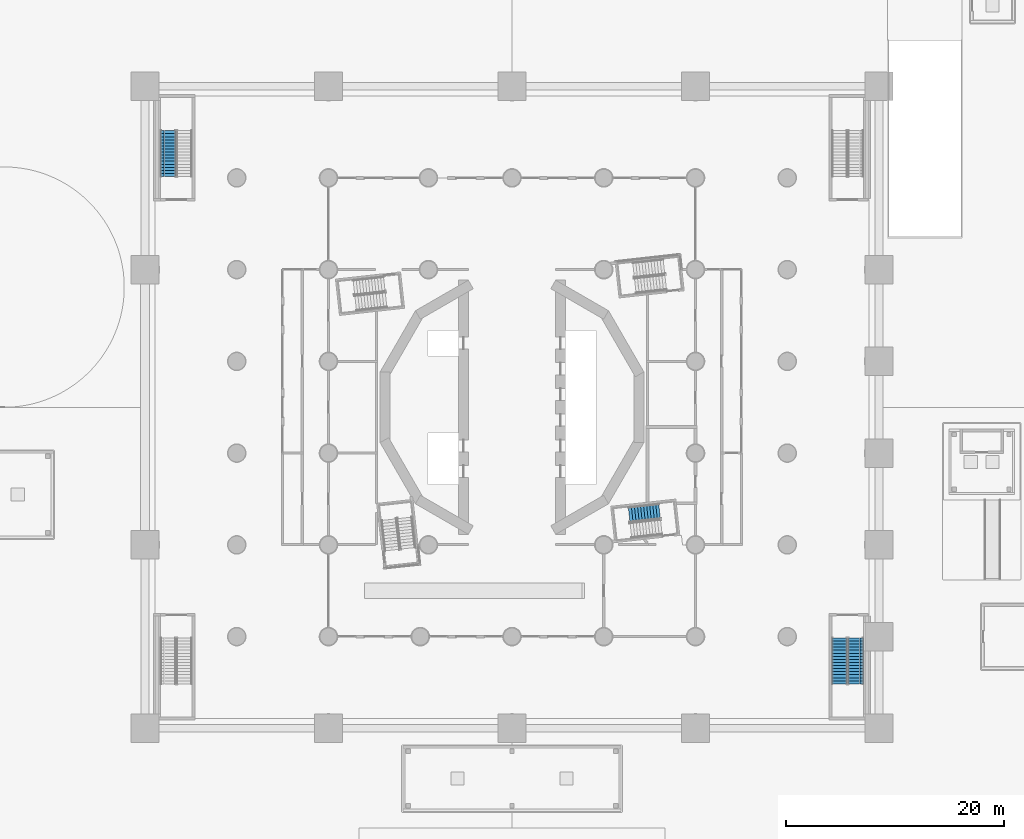
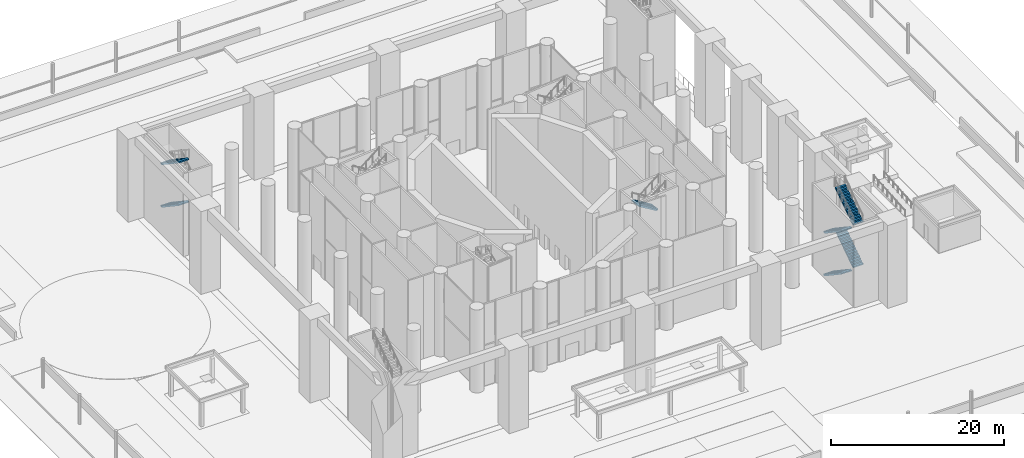
# One storey, part 20 of 52: 7 stair flights, 3 elements without a shape of their own.
"""IFC4 building model written with IfcOpenShell, lengths in metres."""

from ifc_helpers import new_model, si_unit, direction, frame, origin, place, context, subcontext, project, spatial, polyline, outline, extrude, material, type_object, element, aggregate, save


model = new_model("IFC4")

# Units and contexts
model_context = context("Model", 3, precision=1e-05, world=origin(), true_north=direction((0.0, 1.0)))
body_context = subcontext(model_context, "Body", "Model", "MODEL_VIEW")
ifc_project = project(units=[si_unit("LENGTHUNIT", "METRE"), si_unit("AREAUNIT", "SQUARE_METRE"), si_unit("VOLUMEUNIT", "CUBIC_METRE"), si_unit("PLANEANGLEUNIT", "RADIAN"), si_unit("MASSUNIT", "GRAM", prefix="KILO")], contexts=[model_context])

# Site, building, storey
site_placement = place(None, origin())
site = spatial("IfcSite", under=ifc_project, at=site_placement, CompositionType="ELEMENT")
building_placement = place(site_placement, origin())
building = spatial("IfcBuilding", under=site, at=building_placement, Name="Cantera Rosa Tower", CompositionType="ELEMENT")
storey_placement = place(building_placement, origin())
storey = spatial("IfcBuildingStorey", under=building, at=storey_placement, Name="L00", CompositionType="ELEMENT", Elevation=0.0)

# Stair, stair flight
ifc_material_1 = material(Name="Concrete C35/45", Category="concrete")
stair_type_1 = type_object("IfcStairType", Name="EXIT STAIR 1350 DOGLEG", PredefinedType="HALF_TURN_STAIR", material=ifc_material_1)
stair_1_placement = place(storey_placement, origin())
stair_1 = element("IfcStair", 1, at=stair_1_placement, inside=storey, type_object=stair_type_1, Name="L00 ST-14", PredefinedType="HALF_TURN_STAIR")
ifc_material_2 = material(Name="Concrete C35/45", Category="concrete")
stair_flight_type_1 = type_object("IfcStairFlightType", Name="STAIR FLIGHT 1350 R66x182", PredefinedType="STRAIGHT", material=ifc_material_2)
stair_flight_1_placement = place(storey_placement, frame((13.5087890625, -9.500244140625, 8.0), z_axis=(0.0, 0.0, 1.0), x_axis=(-0.993896947056, -0.110312549749, 0.0)))
stair_flight_1 = element("IfcStairFlight", 2, at=stair_flight_1_placement, type_object=stair_flight_type_1, Name="ST-14 flight 5", NumberOfRisers=11, NumberOfTreads=10, PredefinedType="STRAIGHT", RiserHeight=0.181818182, TreadLength=0.28, context=body_context, shape_type="SweptSolid", body=[
    extrude(outline(polyline([(0.0, 0.0), (0.0, 0.181884765625), (0.280029296875, 0.181884765625), (0.280029296875, 0.363525390625), (0.56005859375, 0.363525390625), (0.56005859375, 0.54541015625), (0.840087890625, 0.54541015625), (0.840087890625, 0.727294921875), (1.1201171875, 0.727294921875), (1.1201171875, 0.9091796875), (1.39990234375, 0.9091796875), (1.39990234375, 1.0908203125), (1.679931640625, 1.0908203125), (1.679931640625, 1.272705078125), (1.9599609375, 1.272705078125), (1.9599609375, 1.45458984375), (2.239990234375, 1.45458984375), (2.239990234375, 1.636474609375), (2.52001953125, 1.636474609375), (2.52001953125, 1.818115234375), (2.800048828125, 1.818115234375), (2.800048828125, 2.0), (2.800048828125, 1.639404296875), (0.275146484375, 0.0), (0.0, 0.0)])), frame((0.0, 0.675048828125, 0.0), z_axis=(0.0, -1.0, 0.0), x_axis=(1.0, 0.0, 0.0)), (0.0, 0.0, 1.0), 0.3359375),
    extrude(outline(polyline([(0.0, 0.0), (0.0, 0.181884765625), (0.280029296875, 0.181884765625), (0.280029296875, 0.363525390625), (0.56005859375, 0.363525390625), (0.56005859375, 0.54541015625), (0.840087890625, 0.54541015625), (0.840087890625, 0.727294921875), (1.1201171875, 0.727294921875), (1.1201171875, 0.9091796875), (1.39990234375, 0.9091796875), (1.39990234375, 1.0908203125), (1.679931640625, 1.0908203125), (1.679931640625, 1.272705078125), (1.9599609375, 1.272705078125), (1.9599609375, 1.45458984375), (2.239990234375, 1.45458984375), (2.239990234375, 1.636474609375), (2.52001953125, 1.636474609375), (2.52001953125, 1.818115234375), (2.800048828125, 1.818115234375), (2.800048828125, 2.0), (2.800048828125, 1.639404296875), (0.275146484375, 0.0), (0.0, 0.0)])), frame((0.0, 0.337158203125, 0.0), z_axis=(0.0, -1.0, 0.0), x_axis=(1.0, 0.0, 0.0)), (0.0, 0.0, 1.0), 0.3359375),
    extrude(outline(polyline([(0.0, 0.0), (0.0, 0.181884765625), (0.280029296875, 0.181884765625), (0.280029296875, 0.363525390625), (0.56005859375, 0.363525390625), (0.56005859375, 0.54541015625), (0.840087890625, 0.54541015625), (0.840087890625, 0.727294921875), (1.1201171875, 0.727294921875), (1.1201171875, 0.9091796875), (1.39990234375, 0.9091796875), (1.39990234375, 1.0908203125), (1.679931640625, 1.0908203125), (1.679931640625, 1.272705078125), (1.9599609375, 1.272705078125), (1.9599609375, 1.45458984375), (2.239990234375, 1.45458984375), (2.239990234375, 1.636474609375), (2.52001953125, 1.636474609375), (2.52001953125, 1.818115234375), (2.800048828125, 1.818115234375), (2.800048828125, 2.0), (2.800048828125, 1.639404296875), (0.275146484375, 0.0), (0.0, 0.0)])), frame((0.0, -0.000732421875, 0.0), z_axis=(0.0, -1.0, 0.0), x_axis=(1.0, 0.0, 0.0)), (0.0, 0.0, 1.0), 0.3359375),
    extrude(outline(polyline([(0.0, 0.0), (0.0, 0.181884765625), (0.280029296875, 0.181884765625), (0.280029296875, 0.363525390625), (0.56005859375, 0.363525390625), (0.56005859375, 0.54541015625), (0.840087890625, 0.54541015625), (0.840087890625, 0.727294921875), (1.1201171875, 0.727294921875), (1.1201171875, 0.9091796875), (1.39990234375, 0.9091796875), (1.39990234375, 1.0908203125), (1.679931640625, 1.0908203125), (1.679931640625, 1.272705078125), (1.9599609375, 1.272705078125), (1.9599609375, 1.45458984375), (2.239990234375, 1.45458984375), (2.239990234375, 1.636474609375), (2.52001953125, 1.636474609375), (2.52001953125, 1.818115234375), (2.800048828125, 1.818115234375), (2.800048828125, 2.0), (2.800048828125, 1.639404296875), (0.275146484375, 0.0), (0.0, 0.0)])), frame((0.0, -0.338623046875, 0.0), z_axis=(0.0, -1.0, 0.0), x_axis=(1.0, 0.0, 0.0)), (0.0, 0.0, 1.0), 0.3359375),
])
aggregate(stair_1, [stair_flight_1])

# Stair, stair flights
ifc_material_3 = material(Name="Concrete C35/45", Category="concrete")
stair_type_2 = type_object("IfcStairType", Name="Stair half-turn 1350", PredefinedType="HALF_TURN_STAIR", material=ifc_material_3)
stair_2_placement = place(storey_placement, origin())
stair_2 = element("IfcStair", 3, at=stair_2_placement, inside=storey, type_object=stair_type_2, Name="L00 ST-NW", PredefinedType="HALF_TURN_STAIR")
ifc_material_4 = material(Name="Concrete C35/45", Category="concrete")
stair_flight_type_2 = type_object("IfcStairFlightType", Name="Stair flight 1350", PredefinedType="STRAIGHT", material=ifc_material_4)
stair_flight_2_placement = place(storey_placement, frame((-31.5, 25.324951171875, 3.0), z_axis=(0.0, 0.0, 1.0), x_axis=(0.0, -1.0, 0.0)))
stair_flight_2 = element("IfcStairFlight", 4, at=stair_flight_2_placement, type_object=stair_flight_type_2, Name="ST-NW flight 2", NumberOfRisers=16, NumberOfTreads=15, PredefinedType="STRAIGHT", RiserHeight=0.1875, TreadLength=0.28, context=body_context, shape_type="SweptSolid", body=[
    extrude(outline(polyline([(0.0, 0.0), (0.0, 0.1875), (0.280029296875, 0.1875), (0.280029296875, 0.375), (0.56005859375, 0.375), (0.56005859375, 0.5625), (0.840087890625, 0.5625), (0.840087890625, 0.75), (1.1201171875, 0.75), (1.1201171875, 0.9375), (1.39990234375, 0.9375), (1.39990234375, 1.125), (1.679931640625, 1.125), (1.679931640625, 1.3125), (1.9599609375, 1.3125), (1.9599609375, 1.5), (2.239990234375, 1.5), (2.239990234375, 1.6875), (2.52001953125, 1.6875), (2.52001953125, 1.875), (2.800048828125, 1.875), (2.800048828125, 2.0625), (3.080078125, 2.0625), (3.080078125, 2.25), (3.360107421875, 2.25), (3.360107421875, 2.4375), (3.639892578125, 2.4375), (3.639892578125, 2.625), (3.919921875, 2.625), (3.919921875, 2.8125), (4.199951171875, 2.8125), (4.199951171875, 3.0), (4.199951171875, 2.632080078125), (0.26953125, 0.0), (0.0, 0.0)])), frame((0.0, 0.675048828125, 0.0), z_axis=(0.0, -1.0, 0.0), x_axis=(1.0, 0.0, 0.0)), (0.0, 0.0, 1.0), 0.3359375),
    extrude(outline(polyline([(0.0, 0.0), (0.0, 0.1875), (0.280029296875, 0.1875), (0.280029296875, 0.375), (0.56005859375, 0.375), (0.56005859375, 0.5625), (0.840087890625, 0.5625), (0.840087890625, 0.75), (1.1201171875, 0.75), (1.1201171875, 0.9375), (1.39990234375, 0.9375), (1.39990234375, 1.125), (1.679931640625, 1.125), (1.679931640625, 1.3125), (1.9599609375, 1.3125), (1.9599609375, 1.5), (2.239990234375, 1.5), (2.239990234375, 1.6875), (2.52001953125, 1.6875), (2.52001953125, 1.875), (2.800048828125, 1.875), (2.800048828125, 2.0625), (3.080078125, 2.0625), (3.080078125, 2.25), (3.360107421875, 2.25), (3.360107421875, 2.4375), (3.639892578125, 2.4375), (3.639892578125, 2.625), (3.919921875, 2.625), (3.919921875, 2.8125), (4.199951171875, 2.8125), (4.199951171875, 3.0), (4.199951171875, 2.632080078125), (0.26953125, 0.0), (0.0, 0.0)])), frame((0.0, 0.337158203125, 0.0), z_axis=(0.0, -1.0, 0.0), x_axis=(1.0, 0.0, 0.0)), (0.0, 0.0, 1.0), 0.3359375),
    extrude(outline(polyline([(0.0, 0.0), (0.0, 0.1875), (0.280029296875, 0.1875), (0.280029296875, 0.375), (0.56005859375, 0.375), (0.56005859375, 0.5625), (0.840087890625, 0.5625), (0.840087890625, 0.75), (1.1201171875, 0.75), (1.1201171875, 0.9375), (1.39990234375, 0.9375), (1.39990234375, 1.125), (1.679931640625, 1.125), (1.679931640625, 1.3125), (1.9599609375, 1.3125), (1.9599609375, 1.5), (2.239990234375, 1.5), (2.239990234375, 1.6875), (2.52001953125, 1.6875), (2.52001953125, 1.875), (2.800048828125, 1.875), (2.800048828125, 2.0625), (3.080078125, 2.0625), (3.080078125, 2.25), (3.360107421875, 2.25), (3.360107421875, 2.4375), (3.639892578125, 2.4375), (3.639892578125, 2.625), (3.919921875, 2.625), (3.919921875, 2.8125), (4.199951171875, 2.8125), (4.199951171875, 3.0), (4.199951171875, 2.632080078125), (0.26953125, 0.0), (0.0, 0.0)])), frame((0.0, -0.000732421875, 0.0), z_axis=(0.0, -1.0, 0.0), x_axis=(1.0, 0.0, 0.0)), (0.0, 0.0, 1.0), 0.3359375),
    extrude(outline(polyline([(0.0, 0.0), (0.0, 0.1875), (0.280029296875, 0.1875), (0.280029296875, 0.375), (0.56005859375, 0.375), (0.56005859375, 0.5625), (0.840087890625, 0.5625), (0.840087890625, 0.75), (1.1201171875, 0.75), (1.1201171875, 0.9375), (1.39990234375, 0.9375), (1.39990234375, 1.125), (1.679931640625, 1.125), (1.679931640625, 1.3125), (1.9599609375, 1.3125), (1.9599609375, 1.5), (2.239990234375, 1.5), (2.239990234375, 1.6875), (2.52001953125, 1.6875), (2.52001953125, 1.875), (2.800048828125, 1.875), (2.800048828125, 2.0625), (3.080078125, 2.0625), (3.080078125, 2.25), (3.360107421875, 2.25), (3.360107421875, 2.4375), (3.639892578125, 2.4375), (3.639892578125, 2.625), (3.919921875, 2.625), (3.919921875, 2.8125), (4.199951171875, 2.8125), (4.199951171875, 3.0), (4.199951171875, 2.632080078125), (0.26953125, 0.0), (0.0, 0.0)])), frame((0.0, -0.338623046875, 0.0), z_axis=(0.0, -1.0, 0.0), x_axis=(1.0, 0.0, 0.0)), (0.0, 0.0, 1.0), 0.3359375),
])
stair_flight_3_placement = place(storey_placement, frame((-31.5, 25.324951171875, 9.0), z_axis=(0.0, 0.0, 1.0), x_axis=(0.0, -1.0, 0.0)))
stair_flight_3 = element("IfcStairFlight", 5, at=stair_flight_3_placement, type_object=stair_flight_type_2, Name="ST-NW flight 4", NumberOfRisers=16, NumberOfTreads=15, PredefinedType="STRAIGHT", RiserHeight=0.1875, TreadLength=0.28, context=body_context, shape_type="SweptSolid", body=[
    extrude(outline(polyline([(0.0, 0.0), (0.0, 0.1875), (0.280029296875, 0.1875), (0.280029296875, 0.375), (0.56005859375, 0.375), (0.56005859375, 0.5625), (0.840087890625, 0.5625), (0.840087890625, 0.75), (1.1201171875, 0.75), (1.1201171875, 0.9375), (1.39990234375, 0.9375), (1.39990234375, 1.125), (1.679931640625, 1.125), (1.679931640625, 1.3125), (1.9599609375, 1.3125), (1.9599609375, 1.5), (2.239990234375, 1.5), (2.239990234375, 1.6875), (2.52001953125, 1.6875), (2.52001953125, 1.875), (2.800048828125, 1.875), (2.800048828125, 2.0625), (3.080078125, 2.0625), (3.080078125, 2.25), (3.360107421875, 2.25), (3.360107421875, 2.4375), (3.639892578125, 2.4375), (3.639892578125, 2.625), (3.919921875, 2.625), (3.919921875, 2.8125), (4.199951171875, 2.8125), (4.199951171875, 3.0), (4.199951171875, 2.632080078125), (0.26953125, 0.0), (0.0, 0.0)])), frame((0.0, 0.675048828125, 0.0), z_axis=(0.0, -1.0, 0.0), x_axis=(1.0, 0.0, 0.0)), (0.0, 0.0, 1.0), 0.3359375),
    extrude(outline(polyline([(0.0, 0.0), (0.0, 0.1875), (0.280029296875, 0.1875), (0.280029296875, 0.375), (0.56005859375, 0.375), (0.56005859375, 0.5625), (0.840087890625, 0.5625), (0.840087890625, 0.75), (1.1201171875, 0.75), (1.1201171875, 0.9375), (1.39990234375, 0.9375), (1.39990234375, 1.125), (1.679931640625, 1.125), (1.679931640625, 1.3125), (1.9599609375, 1.3125), (1.9599609375, 1.5), (2.239990234375, 1.5), (2.239990234375, 1.6875), (2.52001953125, 1.6875), (2.52001953125, 1.875), (2.800048828125, 1.875), (2.800048828125, 2.0625), (3.080078125, 2.0625), (3.080078125, 2.25), (3.360107421875, 2.25), (3.360107421875, 2.4375), (3.639892578125, 2.4375), (3.639892578125, 2.625), (3.919921875, 2.625), (3.919921875, 2.8125), (4.199951171875, 2.8125), (4.199951171875, 3.0), (4.199951171875, 2.632080078125), (0.26953125, 0.0), (0.0, 0.0)])), frame((0.0, 0.337158203125, 0.0), z_axis=(0.0, -1.0, 0.0), x_axis=(1.0, 0.0, 0.0)), (0.0, 0.0, 1.0), 0.3359375),
    extrude(outline(polyline([(0.0, 0.0), (0.0, 0.1875), (0.280029296875, 0.1875), (0.280029296875, 0.375), (0.56005859375, 0.375), (0.56005859375, 0.5625), (0.840087890625, 0.5625), (0.840087890625, 0.75), (1.1201171875, 0.75), (1.1201171875, 0.9375), (1.39990234375, 0.9375), (1.39990234375, 1.125), (1.679931640625, 1.125), (1.679931640625, 1.3125), (1.9599609375, 1.3125), (1.9599609375, 1.5), (2.239990234375, 1.5), (2.239990234375, 1.6875), (2.52001953125, 1.6875), (2.52001953125, 1.875), (2.800048828125, 1.875), (2.800048828125, 2.0625), (3.080078125, 2.0625), (3.080078125, 2.25), (3.360107421875, 2.25), (3.360107421875, 2.4375), (3.639892578125, 2.4375), (3.639892578125, 2.625), (3.919921875, 2.625), (3.919921875, 2.8125), (4.199951171875, 2.8125), (4.199951171875, 3.0), (4.199951171875, 2.632080078125), (0.26953125, 0.0), (0.0, 0.0)])), frame((0.0, -0.000732421875, 0.0), z_axis=(0.0, -1.0, 0.0), x_axis=(1.0, 0.0, 0.0)), (0.0, 0.0, 1.0), 0.3359375),
    extrude(outline(polyline([(0.0, 0.0), (0.0, 0.1875), (0.280029296875, 0.1875), (0.280029296875, 0.375), (0.56005859375, 0.375), (0.56005859375, 0.5625), (0.840087890625, 0.5625), (0.840087890625, 0.75), (1.1201171875, 0.75), (1.1201171875, 0.9375), (1.39990234375, 0.9375), (1.39990234375, 1.125), (1.679931640625, 1.125), (1.679931640625, 1.3125), (1.9599609375, 1.3125), (1.9599609375, 1.5), (2.239990234375, 1.5), (2.239990234375, 1.6875), (2.52001953125, 1.6875), (2.52001953125, 1.875), (2.800048828125, 1.875), (2.800048828125, 2.0625), (3.080078125, 2.0625), (3.080078125, 2.25), (3.360107421875, 2.25), (3.360107421875, 2.4375), (3.639892578125, 2.4375), (3.639892578125, 2.625), (3.919921875, 2.625), (3.919921875, 2.8125), (4.199951171875, 2.8125), (4.199951171875, 3.0), (4.199951171875, 2.632080078125), (0.26953125, 0.0), (0.0, 0.0)])), frame((0.0, -0.338623046875, 0.0), z_axis=(0.0, -1.0, 0.0), x_axis=(1.0, 0.0, 0.0)), (0.0, 0.0, 1.0), 0.3359375),
])
aggregate(stair_2, [stair_flight_2, stair_flight_3])

stair_3_placement = place(storey_placement, origin())
stair_3 = element("IfcStair", 6, at=stair_3_placement, inside=storey, type_object=stair_type_2, Name="L00 ST-SE", PredefinedType="HALF_TURN_STAIR")
stair_flight_4_placement = place(storey_placement, frame((29.949951171875, -21.125, 0.0), z_axis=(0.0, 0.0, 1.0), x_axis=(0.0, -1.0, 0.0)))
stair_flight_4 = element("IfcStairFlight", 7, at=stair_flight_4_placement, type_object=stair_flight_type_2, Name="ST-SE flight 1", NumberOfRisers=16, NumberOfTreads=15, PredefinedType="STRAIGHT", RiserHeight=0.1875, TreadLength=0.28, context=body_context, shape_type="SweptSolid", body=[
    extrude(outline(polyline([(0.0, 0.0), (0.0, 0.1875), (0.280029296875, 0.1875), (0.280029296875, 0.375), (0.56005859375, 0.375), (0.56005859375, 0.5625), (0.840087890625, 0.5625), (0.840087890625, 0.75), (1.1201171875, 0.75), (1.1201171875, 0.9375), (1.39990234375, 0.9375), (1.39990234375, 1.125), (1.679931640625, 1.125), (1.679931640625, 1.3125), (1.9599609375, 1.3125), (1.9599609375, 1.5), (2.239990234375, 1.5), (2.239990234375, 1.6875), (2.52001953125, 1.6875), (2.52001953125, 1.875), (2.800048828125, 1.875), (2.800048828125, 2.0625), (3.080078125, 2.0625), (3.080078125, 2.25), (3.360107421875, 2.25), (3.360107421875, 2.4375), (3.639892578125, 2.4375), (3.639892578125, 2.625), (3.919921875, 2.625), (3.919921875, 2.8125), (4.199951171875, 2.8125), (4.199951171875, 3.0), (4.199951171875, 2.632080078125), (0.26953125, 0.0), (0.0, 0.0)])), frame((0.0, 0.675048828125, 0.0), z_axis=(0.0, -1.0, 0.0), x_axis=(1.0, 0.0, 0.0)), (0.0, 0.0, 1.0), 0.3359375),
    extrude(outline(polyline([(0.0, 0.0), (0.0, 0.1875), (0.280029296875, 0.1875), (0.280029296875, 0.375), (0.56005859375, 0.375), (0.56005859375, 0.5625), (0.840087890625, 0.5625), (0.840087890625, 0.75), (1.1201171875, 0.75), (1.1201171875, 0.9375), (1.39990234375, 0.9375), (1.39990234375, 1.125), (1.679931640625, 1.125), (1.679931640625, 1.3125), (1.9599609375, 1.3125), (1.9599609375, 1.5), (2.239990234375, 1.5), (2.239990234375, 1.6875), (2.52001953125, 1.6875), (2.52001953125, 1.875), (2.800048828125, 1.875), (2.800048828125, 2.0625), (3.080078125, 2.0625), (3.080078125, 2.25), (3.360107421875, 2.25), (3.360107421875, 2.4375), (3.639892578125, 2.4375), (3.639892578125, 2.625), (3.919921875, 2.625), (3.919921875, 2.8125), (4.199951171875, 2.8125), (4.199951171875, 3.0), (4.199951171875, 2.632080078125), (0.26953125, 0.0), (0.0, 0.0)])), frame((0.0, 0.337158203125, 0.0), z_axis=(0.0, -1.0, 0.0), x_axis=(1.0, 0.0, 0.0)), (0.0, 0.0, 1.0), 0.3359375),
    extrude(outline(polyline([(0.0, 0.0), (0.0, 0.1875), (0.280029296875, 0.1875), (0.280029296875, 0.375), (0.56005859375, 0.375), (0.56005859375, 0.5625), (0.840087890625, 0.5625), (0.840087890625, 0.75), (1.1201171875, 0.75), (1.1201171875, 0.9375), (1.39990234375, 0.9375), (1.39990234375, 1.125), (1.679931640625, 1.125), (1.679931640625, 1.3125), (1.9599609375, 1.3125), (1.9599609375, 1.5), (2.239990234375, 1.5), (2.239990234375, 1.6875), (2.52001953125, 1.6875), (2.52001953125, 1.875), (2.800048828125, 1.875), (2.800048828125, 2.0625), (3.080078125, 2.0625), (3.080078125, 2.25), (3.360107421875, 2.25), (3.360107421875, 2.4375), (3.639892578125, 2.4375), (3.639892578125, 2.625), (3.919921875, 2.625), (3.919921875, 2.8125), (4.199951171875, 2.8125), (4.199951171875, 3.0), (4.199951171875, 2.632080078125), (0.26953125, 0.0), (0.0, 0.0)])), frame((0.0, -0.000732421875, 0.0), z_axis=(0.0, -1.0, 0.0), x_axis=(1.0, 0.0, 0.0)), (0.0, 0.0, 1.0), 0.3359375),
    extrude(outline(polyline([(0.0, 0.0), (0.0, 0.1875), (0.280029296875, 0.1875), (0.280029296875, 0.375), (0.56005859375, 0.375), (0.56005859375, 0.5625), (0.840087890625, 0.5625), (0.840087890625, 0.75), (1.1201171875, 0.75), (1.1201171875, 0.9375), (1.39990234375, 0.9375), (1.39990234375, 1.125), (1.679931640625, 1.125), (1.679931640625, 1.3125), (1.9599609375, 1.3125), (1.9599609375, 1.5), (2.239990234375, 1.5), (2.239990234375, 1.6875), (2.52001953125, 1.6875), (2.52001953125, 1.875), (2.800048828125, 1.875), (2.800048828125, 2.0625), (3.080078125, 2.0625), (3.080078125, 2.25), (3.360107421875, 2.25), (3.360107421875, 2.4375), (3.639892578125, 2.4375), (3.639892578125, 2.625), (3.919921875, 2.625), (3.919921875, 2.8125), (4.199951171875, 2.8125), (4.199951171875, 3.0), (4.199951171875, 2.632080078125), (0.26953125, 0.0), (0.0, 0.0)])), frame((0.0, -0.338623046875, 0.0), z_axis=(0.0, -1.0, 0.0), x_axis=(1.0, 0.0, 0.0)), (0.0, 0.0, 1.0), 0.3359375),
])
stair_flight_5_placement = place(storey_placement, frame((31.5, -25.324951171875, 3.0), z_axis=(0.0, 0.0, 1.0), x_axis=(0.0, 1.0, 0.0)))
stair_flight_5 = element("IfcStairFlight", 8, at=stair_flight_5_placement, type_object=stair_flight_type_2, Name="ST-SE flight 2", NumberOfRisers=16, NumberOfTreads=15, PredefinedType="STRAIGHT", RiserHeight=0.1875, TreadLength=0.28, context=body_context, shape_type="SweptSolid", body=[
    extrude(outline(polyline([(0.0, 0.0), (0.0, 0.1875), (0.280029296875, 0.1875), (0.280029296875, 0.375), (0.56005859375, 0.375), (0.56005859375, 0.5625), (0.840087890625, 0.5625), (0.840087890625, 0.75), (1.1201171875, 0.75), (1.1201171875, 0.9375), (1.39990234375, 0.9375), (1.39990234375, 1.125), (1.679931640625, 1.125), (1.679931640625, 1.3125), (1.9599609375, 1.3125), (1.9599609375, 1.5), (2.239990234375, 1.5), (2.239990234375, 1.6875), (2.52001953125, 1.6875), (2.52001953125, 1.875), (2.800048828125, 1.875), (2.800048828125, 2.0625), (3.080078125, 2.0625), (3.080078125, 2.25), (3.360107421875, 2.25), (3.360107421875, 2.4375), (3.639892578125, 2.4375), (3.639892578125, 2.625), (3.919921875, 2.625), (3.919921875, 2.8125), (4.199951171875, 2.8125), (4.199951171875, 3.0), (4.199951171875, 2.632080078125), (0.26953125, 0.0), (0.0, 0.0)])), frame((0.0, 0.675048828125, 0.0), z_axis=(0.0, -1.0, 0.0), x_axis=(1.0, 0.0, 0.0)), (0.0, 0.0, 1.0), 0.3359375),
    extrude(outline(polyline([(0.0, 0.0), (0.0, 0.1875), (0.280029296875, 0.1875), (0.280029296875, 0.375), (0.56005859375, 0.375), (0.56005859375, 0.5625), (0.840087890625, 0.5625), (0.840087890625, 0.75), (1.1201171875, 0.75), (1.1201171875, 0.9375), (1.39990234375, 0.9375), (1.39990234375, 1.125), (1.679931640625, 1.125), (1.679931640625, 1.3125), (1.9599609375, 1.3125), (1.9599609375, 1.5), (2.239990234375, 1.5), (2.239990234375, 1.6875), (2.52001953125, 1.6875), (2.52001953125, 1.875), (2.800048828125, 1.875), (2.800048828125, 2.0625), (3.080078125, 2.0625), (3.080078125, 2.25), (3.360107421875, 2.25), (3.360107421875, 2.4375), (3.639892578125, 2.4375), (3.639892578125, 2.625), (3.919921875, 2.625), (3.919921875, 2.8125), (4.199951171875, 2.8125), (4.199951171875, 3.0), (4.199951171875, 2.632080078125), (0.26953125, 0.0), (0.0, 0.0)])), frame((0.0, 0.337158203125, 0.0), z_axis=(0.0, -1.0, 0.0), x_axis=(1.0, 0.0, 0.0)), (0.0, 0.0, 1.0), 0.3359375),
    extrude(outline(polyline([(0.0, 0.0), (0.0, 0.1875), (0.280029296875, 0.1875), (0.280029296875, 0.375), (0.56005859375, 0.375), (0.56005859375, 0.5625), (0.840087890625, 0.5625), (0.840087890625, 0.75), (1.1201171875, 0.75), (1.1201171875, 0.9375), (1.39990234375, 0.9375), (1.39990234375, 1.125), (1.679931640625, 1.125), (1.679931640625, 1.3125), (1.9599609375, 1.3125), (1.9599609375, 1.5), (2.239990234375, 1.5), (2.239990234375, 1.6875), (2.52001953125, 1.6875), (2.52001953125, 1.875), (2.800048828125, 1.875), (2.800048828125, 2.0625), (3.080078125, 2.0625), (3.080078125, 2.25), (3.360107421875, 2.25), (3.360107421875, 2.4375), (3.639892578125, 2.4375), (3.639892578125, 2.625), (3.919921875, 2.625), (3.919921875, 2.8125), (4.199951171875, 2.8125), (4.199951171875, 3.0), (4.199951171875, 2.632080078125), (0.26953125, 0.0), (0.0, 0.0)])), frame((0.0, -0.000732421875, 0.0), z_axis=(0.0, -1.0, 0.0), x_axis=(1.0, 0.0, 0.0)), (0.0, 0.0, 1.0), 0.3359375),
    extrude(outline(polyline([(0.0, 0.0), (0.0, 0.1875), (0.280029296875, 0.1875), (0.280029296875, 0.375), (0.56005859375, 0.375), (0.56005859375, 0.5625), (0.840087890625, 0.5625), (0.840087890625, 0.75), (1.1201171875, 0.75), (1.1201171875, 0.9375), (1.39990234375, 0.9375), (1.39990234375, 1.125), (1.679931640625, 1.125), (1.679931640625, 1.3125), (1.9599609375, 1.3125), (1.9599609375, 1.5), (2.239990234375, 1.5), (2.239990234375, 1.6875), (2.52001953125, 1.6875), (2.52001953125, 1.875), (2.800048828125, 1.875), (2.800048828125, 2.0625), (3.080078125, 2.0625), (3.080078125, 2.25), (3.360107421875, 2.25), (3.360107421875, 2.4375), (3.639892578125, 2.4375), (3.639892578125, 2.625), (3.919921875, 2.625), (3.919921875, 2.8125), (4.199951171875, 2.8125), (4.199951171875, 3.0), (4.199951171875, 2.632080078125), (0.26953125, 0.0), (0.0, 0.0)])), frame((0.0, -0.338623046875, 0.0), z_axis=(0.0, -1.0, 0.0), x_axis=(1.0, 0.0, 0.0)), (0.0, 0.0, 1.0), 0.3359375),
])
stair_flight_6_placement = place(storey_placement, frame((29.949951171875, -21.125, 6.0), z_axis=(0.0, 0.0, 1.0), x_axis=(0.0, -1.0, 0.0)))
stair_flight_6 = element("IfcStairFlight", 9, at=stair_flight_6_placement, type_object=stair_flight_type_2, Name="ST-SE flight 3", NumberOfRisers=16, NumberOfTreads=15, PredefinedType="STRAIGHT", RiserHeight=0.1875, TreadLength=0.28, context=body_context, shape_type="SweptSolid", body=[
    extrude(outline(polyline([(0.0, 0.0), (0.0, 0.1875), (0.280029296875, 0.1875), (0.280029296875, 0.375), (0.56005859375, 0.375), (0.56005859375, 0.5625), (0.840087890625, 0.5625), (0.840087890625, 0.75), (1.1201171875, 0.75), (1.1201171875, 0.9375), (1.39990234375, 0.9375), (1.39990234375, 1.125), (1.679931640625, 1.125), (1.679931640625, 1.3125), (1.9599609375, 1.3125), (1.9599609375, 1.5), (2.239990234375, 1.5), (2.239990234375, 1.6875), (2.52001953125, 1.6875), (2.52001953125, 1.875), (2.800048828125, 1.875), (2.800048828125, 2.0625), (3.080078125, 2.0625), (3.080078125, 2.25), (3.360107421875, 2.25), (3.360107421875, 2.4375), (3.639892578125, 2.4375), (3.639892578125, 2.625), (3.919921875, 2.625), (3.919921875, 2.8125), (4.199951171875, 2.8125), (4.199951171875, 3.0), (4.199951171875, 2.632080078125), (0.26953125, 0.0), (0.0, 0.0)])), frame((0.0, 0.675048828125, 0.0), z_axis=(0.0, -1.0, 0.0), x_axis=(1.0, 0.0, 0.0)), (0.0, 0.0, 1.0), 0.3359375),
    extrude(outline(polyline([(0.0, 0.0), (0.0, 0.1875), (0.280029296875, 0.1875), (0.280029296875, 0.375), (0.56005859375, 0.375), (0.56005859375, 0.5625), (0.840087890625, 0.5625), (0.840087890625, 0.75), (1.1201171875, 0.75), (1.1201171875, 0.9375), (1.39990234375, 0.9375), (1.39990234375, 1.125), (1.679931640625, 1.125), (1.679931640625, 1.3125), (1.9599609375, 1.3125), (1.9599609375, 1.5), (2.239990234375, 1.5), (2.239990234375, 1.6875), (2.52001953125, 1.6875), (2.52001953125, 1.875), (2.800048828125, 1.875), (2.800048828125, 2.0625), (3.080078125, 2.0625), (3.080078125, 2.25), (3.360107421875, 2.25), (3.360107421875, 2.4375), (3.639892578125, 2.4375), (3.639892578125, 2.625), (3.919921875, 2.625), (3.919921875, 2.8125), (4.199951171875, 2.8125), (4.199951171875, 3.0), (4.199951171875, 2.632080078125), (0.26953125, 0.0), (0.0, 0.0)])), frame((0.0, 0.337158203125, 0.0), z_axis=(0.0, -1.0, 0.0), x_axis=(1.0, 0.0, 0.0)), (0.0, 0.0, 1.0), 0.3359375),
    extrude(outline(polyline([(0.0, 0.0), (0.0, 0.1875), (0.280029296875, 0.1875), (0.280029296875, 0.375), (0.56005859375, 0.375), (0.56005859375, 0.5625), (0.840087890625, 0.5625), (0.840087890625, 0.75), (1.1201171875, 0.75), (1.1201171875, 0.9375), (1.39990234375, 0.9375), (1.39990234375, 1.125), (1.679931640625, 1.125), (1.679931640625, 1.3125), (1.9599609375, 1.3125), (1.9599609375, 1.5), (2.239990234375, 1.5), (2.239990234375, 1.6875), (2.52001953125, 1.6875), (2.52001953125, 1.875), (2.800048828125, 1.875), (2.800048828125, 2.0625), (3.080078125, 2.0625), (3.080078125, 2.25), (3.360107421875, 2.25), (3.360107421875, 2.4375), (3.639892578125, 2.4375), (3.639892578125, 2.625), (3.919921875, 2.625), (3.919921875, 2.8125), (4.199951171875, 2.8125), (4.199951171875, 3.0), (4.199951171875, 2.632080078125), (0.26953125, 0.0), (0.0, 0.0)])), frame((0.0, -0.000732421875, 0.0), z_axis=(0.0, -1.0, 0.0), x_axis=(1.0, 0.0, 0.0)), (0.0, 0.0, 1.0), 0.3359375),
    extrude(outline(polyline([(0.0, 0.0), (0.0, 0.1875), (0.280029296875, 0.1875), (0.280029296875, 0.375), (0.56005859375, 0.375), (0.56005859375, 0.5625), (0.840087890625, 0.5625), (0.840087890625, 0.75), (1.1201171875, 0.75), (1.1201171875, 0.9375), (1.39990234375, 0.9375), (1.39990234375, 1.125), (1.679931640625, 1.125), (1.679931640625, 1.3125), (1.9599609375, 1.3125), (1.9599609375, 1.5), (2.239990234375, 1.5), (2.239990234375, 1.6875), (2.52001953125, 1.6875), (2.52001953125, 1.875), (2.800048828125, 1.875), (2.800048828125, 2.0625), (3.080078125, 2.0625), (3.080078125, 2.25), (3.360107421875, 2.25), (3.360107421875, 2.4375), (3.639892578125, 2.4375), (3.639892578125, 2.625), (3.919921875, 2.625), (3.919921875, 2.8125), (4.199951171875, 2.8125), (4.199951171875, 3.0), (4.199951171875, 2.632080078125), (0.26953125, 0.0), (0.0, 0.0)])), frame((0.0, -0.338623046875, 0.0), z_axis=(0.0, -1.0, 0.0), x_axis=(1.0, 0.0, 0.0)), (0.0, 0.0, 1.0), 0.3359375),
])
stair_flight_7_placement = place(storey_placement, frame((31.5, -25.324951171875, 9.0), z_axis=(0.0, 0.0, 1.0), x_axis=(0.0, 1.0, 0.0)))
stair_flight_7 = element("IfcStairFlight", 10, at=stair_flight_7_placement, type_object=stair_flight_type_2, Name="ST-SE flight 4", NumberOfRisers=16, NumberOfTreads=15, PredefinedType="STRAIGHT", RiserHeight=0.1875, TreadLength=0.28, context=body_context, shape_type="SweptSolid", body=[
    extrude(outline(polyline([(0.0, 0.0), (0.0, 0.1875), (0.280029296875, 0.1875), (0.280029296875, 0.375), (0.56005859375, 0.375), (0.56005859375, 0.5625), (0.840087890625, 0.5625), (0.840087890625, 0.75), (1.1201171875, 0.75), (1.1201171875, 0.9375), (1.39990234375, 0.9375), (1.39990234375, 1.125), (1.679931640625, 1.125), (1.679931640625, 1.3125), (1.9599609375, 1.3125), (1.9599609375, 1.5), (2.239990234375, 1.5), (2.239990234375, 1.6875), (2.52001953125, 1.6875), (2.52001953125, 1.875), (2.800048828125, 1.875), (2.800048828125, 2.0625), (3.080078125, 2.0625), (3.080078125, 2.25), (3.360107421875, 2.25), (3.360107421875, 2.4375), (3.639892578125, 2.4375), (3.639892578125, 2.625), (3.919921875, 2.625), (3.919921875, 2.8125), (4.199951171875, 2.8125), (4.199951171875, 3.0), (4.199951171875, 2.632080078125), (0.26953125, 0.0), (0.0, 0.0)])), frame((0.0, 0.675048828125, 0.0), z_axis=(0.0, -1.0, 0.0), x_axis=(1.0, 0.0, 0.0)), (0.0, 0.0, 1.0), 0.3359375),
    extrude(outline(polyline([(0.0, 0.0), (0.0, 0.1875), (0.280029296875, 0.1875), (0.280029296875, 0.375), (0.56005859375, 0.375), (0.56005859375, 0.5625), (0.840087890625, 0.5625), (0.840087890625, 0.75), (1.1201171875, 0.75), (1.1201171875, 0.9375), (1.39990234375, 0.9375), (1.39990234375, 1.125), (1.679931640625, 1.125), (1.679931640625, 1.3125), (1.9599609375, 1.3125), (1.9599609375, 1.5), (2.239990234375, 1.5), (2.239990234375, 1.6875), (2.52001953125, 1.6875), (2.52001953125, 1.875), (2.800048828125, 1.875), (2.800048828125, 2.0625), (3.080078125, 2.0625), (3.080078125, 2.25), (3.360107421875, 2.25), (3.360107421875, 2.4375), (3.639892578125, 2.4375), (3.639892578125, 2.625), (3.919921875, 2.625), (3.919921875, 2.8125), (4.199951171875, 2.8125), (4.199951171875, 3.0), (4.199951171875, 2.632080078125), (0.26953125, 0.0), (0.0, 0.0)])), frame((0.0, 0.337158203125, 0.0), z_axis=(0.0, -1.0, 0.0), x_axis=(1.0, 0.0, 0.0)), (0.0, 0.0, 1.0), 0.3359375),
    extrude(outline(polyline([(0.0, 0.0), (0.0, 0.1875), (0.280029296875, 0.1875), (0.280029296875, 0.375), (0.56005859375, 0.375), (0.56005859375, 0.5625), (0.840087890625, 0.5625), (0.840087890625, 0.75), (1.1201171875, 0.75), (1.1201171875, 0.9375), (1.39990234375, 0.9375), (1.39990234375, 1.125), (1.679931640625, 1.125), (1.679931640625, 1.3125), (1.9599609375, 1.3125), (1.9599609375, 1.5), (2.239990234375, 1.5), (2.239990234375, 1.6875), (2.52001953125, 1.6875), (2.52001953125, 1.875), (2.800048828125, 1.875), (2.800048828125, 2.0625), (3.080078125, 2.0625), (3.080078125, 2.25), (3.360107421875, 2.25), (3.360107421875, 2.4375), (3.639892578125, 2.4375), (3.639892578125, 2.625), (3.919921875, 2.625), (3.919921875, 2.8125), (4.199951171875, 2.8125), (4.199951171875, 3.0), (4.199951171875, 2.632080078125), (0.26953125, 0.0), (0.0, 0.0)])), frame((0.0, -0.000732421875, 0.0), z_axis=(0.0, -1.0, 0.0), x_axis=(1.0, 0.0, 0.0)), (0.0, 0.0, 1.0), 0.3359375),
    extrude(outline(polyline([(0.0, 0.0), (0.0, 0.1875), (0.280029296875, 0.1875), (0.280029296875, 0.375), (0.56005859375, 0.375), (0.56005859375, 0.5625), (0.840087890625, 0.5625), (0.840087890625, 0.75), (1.1201171875, 0.75), (1.1201171875, 0.9375), (1.39990234375, 0.9375), (1.39990234375, 1.125), (1.679931640625, 1.125), (1.679931640625, 1.3125), (1.9599609375, 1.3125), (1.9599609375, 1.5), (2.239990234375, 1.5), (2.239990234375, 1.6875), (2.52001953125, 1.6875), (2.52001953125, 1.875), (2.800048828125, 1.875), (2.800048828125, 2.0625), (3.080078125, 2.0625), (3.080078125, 2.25), (3.360107421875, 2.25), (3.360107421875, 2.4375), (3.639892578125, 2.4375), (3.639892578125, 2.625), (3.919921875, 2.625), (3.919921875, 2.8125), (4.199951171875, 2.8125), (4.199951171875, 3.0), (4.199951171875, 2.632080078125), (0.26953125, 0.0), (0.0, 0.0)])), frame((0.0, -0.338623046875, 0.0), z_axis=(0.0, -1.0, 0.0), x_axis=(1.0, 0.0, 0.0)), (0.0, 0.0, 1.0), 0.3359375),
])
aggregate(stair_3, [stair_flight_4, stair_flight_5, stair_flight_6, stair_flight_7])

save(model, "model.ifc")
